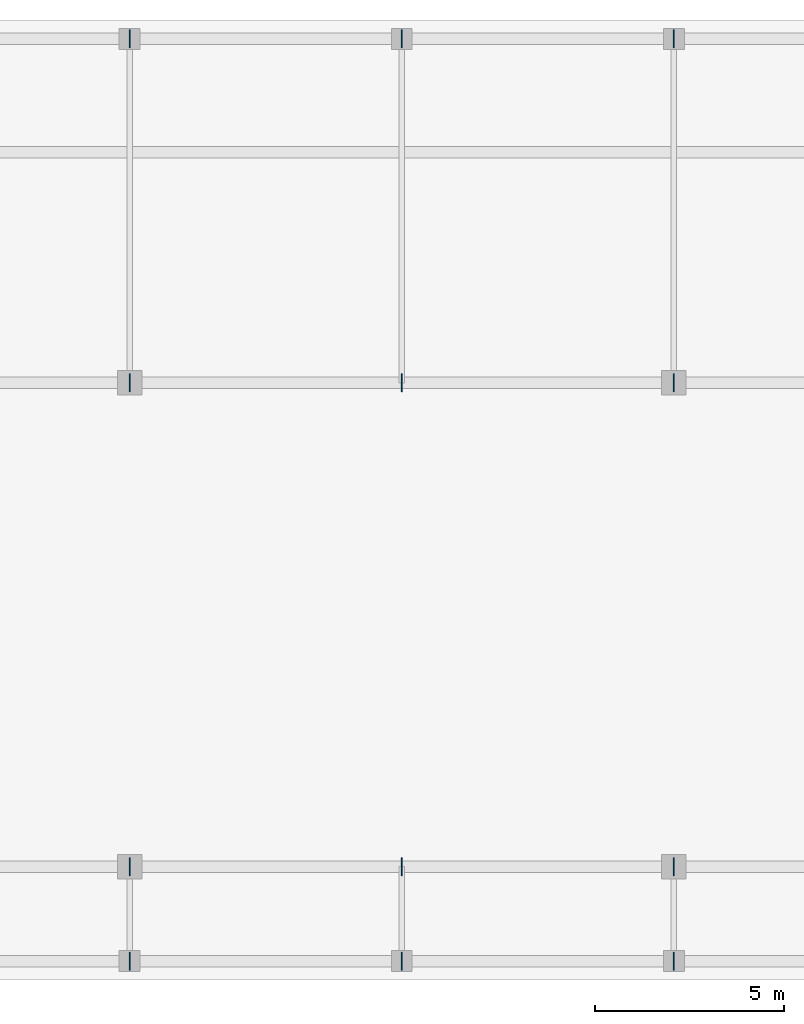
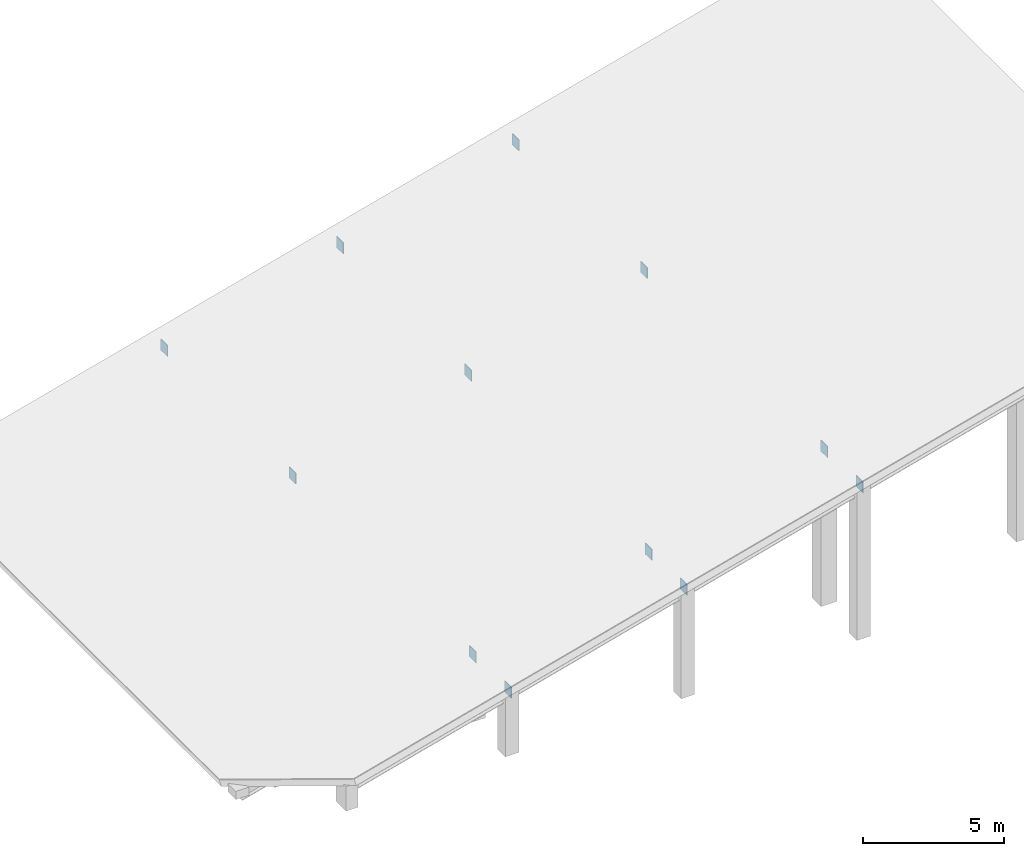
# One storey, part 2 of 3: 12 plates.
"""IFC4 building model written with IfcOpenShell, lengths in metres."""

from ifc_helpers import new_model, si_unit, direction, frame, origin, origin_2d, place, context, subcontext, project, spatial, rectangle, extrude, material, layer, layer_set, type_object, element, save


model = new_model("IFC4")

# Units and contexts
model_context = context("Model", 3, precision=1e-05, world=origin(), true_north=direction((0.0, 1.0)))
body_context = subcontext(model_context, "Body", "Model", "MODEL_VIEW")
ifc_project = project(units=[si_unit("LENGTHUNIT", "METRE"), si_unit("AREAUNIT", "SQUARE_METRE"), si_unit("VOLUMEUNIT", "CUBIC_METRE"), si_unit("PLANEANGLEUNIT", "RADIAN"), si_unit("MASSUNIT", "GRAM", prefix="KILO")], contexts=[model_context])

# Site, building, storey
site_placement = place(None, origin())
site = spatial("IfcSite", under=ifc_project, at=site_placement, CompositionType="ELEMENT")
building_placement = place(site_placement, origin())
building = spatial("IfcBuilding", under=site, at=building_placement, Name="Kranthara Brick Stack", CompositionType="ELEMENT")
storey_placement = place(building_placement, frame((0.0, 0.0, 313.199951171875)))
storey = spatial("IfcBuildingStorey", under=building, at=storey_placement, Name="RF", CompositionType="ELEMENT", Elevation=313.199951171875)

# Plates
ifc_material = material(Name="Steel S355", Category="steel")
ifc_layer = layer(ifc_material, 0.030029296875)
ifc_layer_set = layer_set([ifc_layer], Name="Steel S355")
plate_type = type_object("IfcPlateType", Name="PLT-GUSSET-30", PredefinedType="USERDEFINED", material=ifc_layer_set)
for number, where, z_axis, x_axis, name in (
    (1, (20.800048828125, 18.300048828125, 2.425048828125), (0.0, 0.0, 1.0), (0.0, 1.0, 0.0), "RF Brace and Strut End Connection Gusset Plate 001"),
    (2, (20.800048828125, 20.800048828125, 2.425048828125), (0.0, 0.0, 1.0), (0.0, 1.0, 0.0), "RF Brace and Strut End Connection Gusset Plate 002"),
    (3, (20.800048828125, 33.60009765625, 2.425048828125), (0.0, 0.0, 1.0), (0.0, 1.0, 0.0), "RF Brace and Strut End Connection Gusset Plate 003"),
    (4, (20.800048828125, 42.699951171875, 2.425048828125), (0.0, 0.0, 1.0), (0.0, 1.0, 0.0), "RF Brace and Strut End Connection Gusset Plate 004"),
    (5, (28.0, 18.300048828125, 4.354248046875), (0.0, 0.0, 1.0), (0.0, 1.0, 0.0), "RF Brace and Strut End Connection Gusset Plate 005"),
    (6, (28.0, 20.800048828125, 4.354248046875), (0.0, 0.0, 1.0), (0.0, 1.0, 0.0), "RF Brace and Strut End Connection Gusset Plate 006"),
    (7, (28.0, 33.60009765625, 4.354248046875), (0.0, 0.0, 1.0), (0.0, 1.0, 0.0), "RF Brace and Strut End Connection Gusset Plate 007"),
    (8, (28.0, 42.699951171875, 4.354248046875), (0.0, 0.0, 1.0), (0.0, 1.0, 0.0), "RF Brace and Strut End Connection Gusset Plate 008"),
    (9, (35.199951171875, 18.300048828125, 6.283447265625), (0.0, 0.0, 1.0), (0.0, 1.0, 0.0), "RF Brace and Strut End Connection Gusset Plate 009"),
    (10, (35.199951171875, 20.800048828125, 6.283447265625), (0.0, 0.0, 1.0), (0.0, 1.0, 0.0), "RF Brace and Strut End Connection Gusset Plate 010"),
    (11, (35.199951171875, 33.60009765625, 6.283447265625), (0.0, 0.0, 1.0), (0.0, 1.0, 0.0), "RF Brace and Strut End Connection Gusset Plate 011"),
    (12, (35.199951171875, 42.699951171875, 6.283447265625), (0.0, 0.0, 1.0), (0.0, 1.0, 0.0), "RF Brace and Strut End Connection Gusset Plate 012"),
):
    element("IfcPlate", number, at=place(storey_placement, frame(where, z_axis=z_axis, x_axis=x_axis)), inside=storey, type_object=plate_type, Name=name, ObjectType="GUSSET PLATE", PredefinedType="USERDEFINED", context=body_context, shape_type="SweptSolid", body=[
        extrude(rectangle(XDim=0.47998046875, YDim=0.030029296875, at=origin_2d()), origin(), (0.0, 0.0, 1.0), 0.47998046875),
    ])

save(model, "model.ifc")
